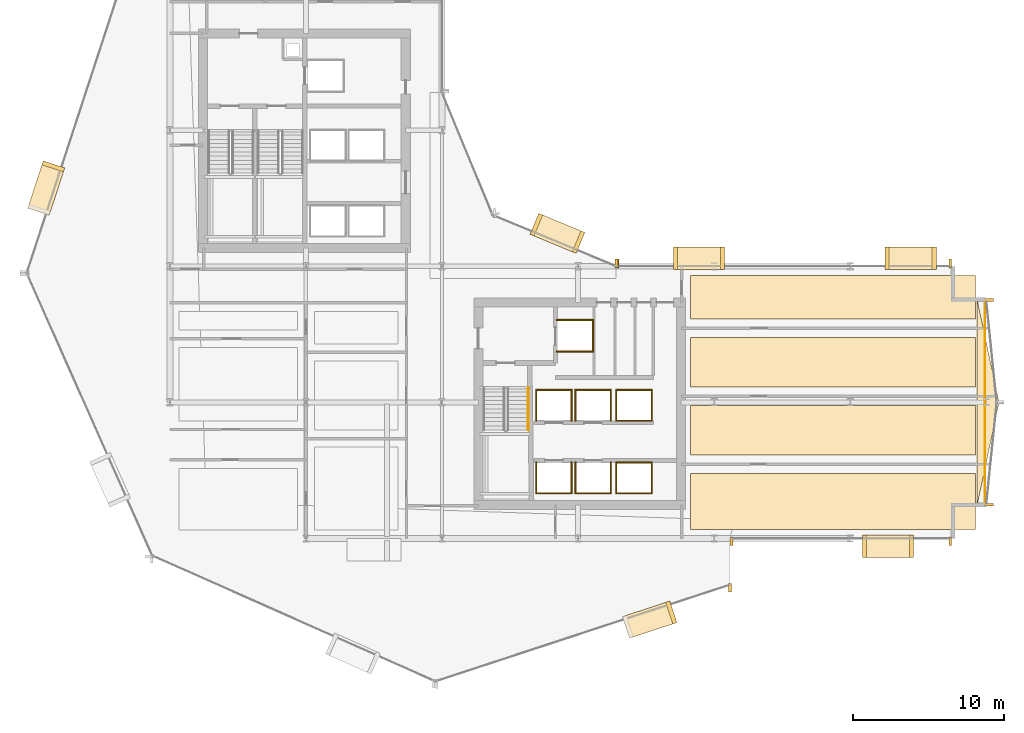
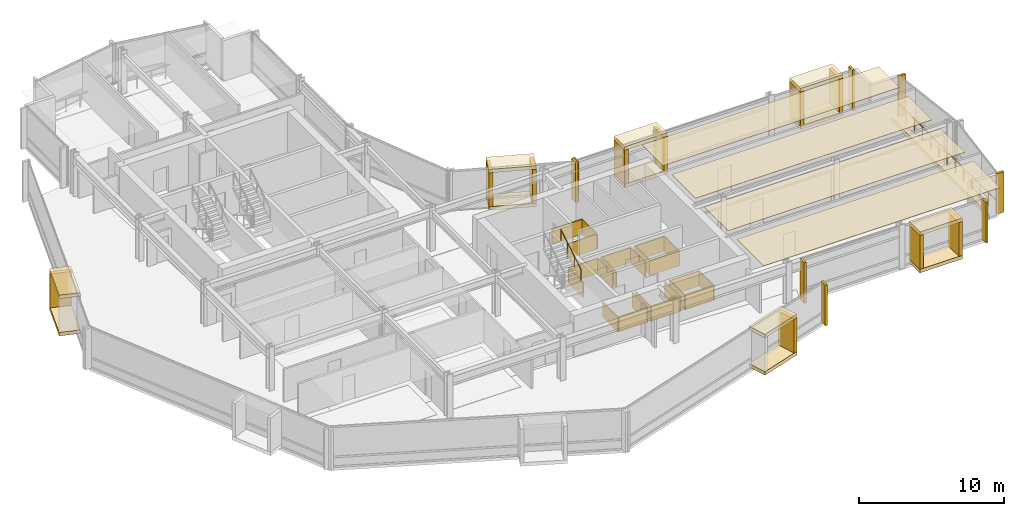
# One storey, part 32 of 34: 58 coverings, 2 railings.
"""IFC4 building model written with IfcOpenShell, lengths in metres."""

from ifc_helpers import new_model, si_unit, direction, frame, origin, origin_2d, place, context, subcontext, project, spatial, polyline, rectangle, circle, outline, extrude, material, layer, layer_set, type_object, element, save


model = new_model("IFC4")

# Units and contexts
model_context = context("Model", 3, precision=1e-05, world=origin(), true_north=direction((0.0, 1.0)))
body_context = subcontext(model_context, "Body", "Model", "MODEL_VIEW")
ifc_project = project(units=[si_unit("LENGTHUNIT", "METRE"), si_unit("AREAUNIT", "SQUARE_METRE"), si_unit("VOLUMEUNIT", "CUBIC_METRE"), si_unit("PLANEANGLEUNIT", "RADIAN"), si_unit("MASSUNIT", "GRAM", prefix="KILO")], contexts=[model_context])

# Site, building, storey
site_placement = place(None, origin())
site = spatial("IfcSite", under=ifc_project, at=site_placement, CompositionType="ELEMENT")
building_placement = place(site_placement, origin())
building = spatial("IfcBuilding", under=site, at=building_placement, Name="Solvaryn Broadcast Tower", CompositionType="ELEMENT")
storey_placement = place(building_placement, frame((0.0, 0.0, 89.10009765625)))
storey = spatial("IfcBuildingStorey", under=building, at=storey_placement, Name="L21", CompositionType="ELEMENT", Elevation=89.10009765625)

# Coverings
ifc_material_1 = material(Name="Micro-Perforated Acoustic Gypsum Ceiling", Category="concrete")
ifc_layer_1 = layer(ifc_material_1, 0.0400390625)
ifc_layer_set_1 = layer_set([ifc_layer_1], Name="CV-CEIL-ACOUSTIC")
covering_type_1 = type_object("IfcCoveringType", Name="CV-CEIL-ACOUSTIC", PredefinedType="CEILING", material=ifc_layer_set_1)
covering_1_placement = place(storey_placement, frame((0.0, 0.0, 3.3798828125)))
element("IfcCovering", 1, at=covering_1_placement, inside=storey, type_object=covering_type_1, Name="L21 Room Acoustic Ceiling 10", PredefinedType="CEILING", context=body_context, shape_type="SweptSolid", body=[
    extrude(outline(polyline([(43.449951171875, 9.60009765625), (62.300048828125, 9.60009765625), (62.300048828125, 13.300048828125), (43.449951171875, 13.300048828125), (43.449951171875, 9.60009765625)])), origin(), (0.0, 0.0, 1.0), 0.0400390625),
])
covering_2_placement = place(storey_placement, frame((0.0, 0.0, 3.3798828125)))
element("IfcCovering", 2, at=covering_2_placement, inside=storey, type_object=covering_type_1, Name="L21 Room Acoustic Ceiling 11", PredefinedType="CEILING", context=body_context, shape_type="SweptSolid", body=[
    extrude(outline(polyline([(43.449951171875, 14.5), (62.300048828125, 14.5), (62.300048828125, 17.800048828125), (43.449951171875, 17.800048828125), (43.449951171875, 14.5)])), origin(), (0.0, 0.0, 1.0), 0.0400390625),
])
covering_3_placement = place(storey_placement, frame((0.0, 0.0, 3.3798828125)))
element("IfcCovering", 3, at=covering_3_placement, inside=storey, type_object=covering_type_1, Name="L21 Room Acoustic Ceiling 12", PredefinedType="CEILING", context=body_context, shape_type="SweptSolid", body=[
    extrude(outline(polyline([(43.449951171875, 19.0), (62.300048828125, 19.0), (62.300048828125, 22.300048828125), (43.449951171875, 22.300048828125), (43.449951171875, 19.0)])), origin(), (0.0, 0.0, 1.0), 0.0400390625),
])
covering_4_placement = place(storey_placement, frame((0.0, 0.0, 3.3798828125)))
element("IfcCovering", 4, at=covering_4_placement, inside=storey, type_object=covering_type_1, Name="L21 Room Acoustic Ceiling 13", PredefinedType="CEILING", context=body_context, shape_type="SweptSolid", body=[
    extrude(outline(polyline([(43.449951171875, 23.5), (62.300048828125, 23.5), (62.300048828125, 26.39990234375), (43.449951171875, 26.39990234375), (43.449951171875, 23.5)])), origin(), (0.0, 0.0, 1.0), 0.0400390625),
])
ifc_material_2 = material(Name="Fire-Rated Gypsum Shaftwall Liner", Category="concrete")
ifc_layer_2 = layer(ifc_material_2, 0.080078125)
ifc_layer_set_2 = layer_set([ifc_layer_2], Name="CV-SHAFT-LINER")
covering_type_2 = type_object("IfcCoveringType", Name="CV-SHAFT-LINER", PredefinedType="CLADDING", material=ifc_layer_set_2)
for number, where, z_axis, x_axis, name in (
    (5, (35.800048828125, 23.43994140625, 0.0), (0.0, 0.0, 1.0), (1.0, 0.0, 0.0), "L21 FL2 Hoistway Shaft Liner North"),
    (6, (35.800048828125, 21.360107421875, 0.0), (0.0, 0.0, 1.0), (1.0, 0.0, 0.0), "L21 FL2 Hoistway Shaft Liner South"),
):
    element("IfcCovering", number, at=place(storey_placement, frame(where, z_axis=z_axis, x_axis=x_axis)), inside=storey, type_object=covering_type_2, Name=name, PredefinedType="CLADDING", context=body_context, shape_type="SweptSolid", body=[
        extrude(rectangle(XDim=2.4599609375, YDim=0.080078125, at=origin_2d()), origin(), (0.0, 0.0, 1.0), 1.25),
    ])
covering_5_placement = place(storey_placement, frame((36.989990234375, 22.39990234375, 0.0), z_axis=(0.0, 0.0, 1.0), x_axis=(1.0, 0.0, 0.0)))
element("IfcCovering", 7, at=covering_5_placement, inside=storey, type_object=covering_type_2, Name="L21 FL2 Hoistway Shaft Liner East", PredefinedType="CLADDING", context=body_context, shape_type="SweptSolid", body=[
    extrude(rectangle(XDim=0.080078125, YDim=2.159912109375, at=origin_2d()), origin(), (0.0, 0.0, 1.0), 1.25),
])
covering_6_placement = place(storey_placement, frame((34.39990234375, 11.985107421875, 0.0), z_axis=(0.0, 0.0, 1.0), x_axis=(1.0, 0.0, 0.0)))
element("IfcCovering", 8, at=covering_6_placement, inside=storey, type_object=covering_type_2, Name="L21 PL1 Hoistway Shaft Liner South", PredefinedType="CLADDING", context=body_context, shape_type="SweptSolid", body=[
    extrude(rectangle(XDim=2.409912109375, YDim=0.080078125, at=origin_2d()), origin(), (0.0, 0.0, 1.0), 1.25),
])
for number, where, z_axis, x_axis, name in (
    (9, (35.56494140625, 13.0, 0.0), (0.0, 0.0, 1.0), (1.0, 0.0, 0.0), "L21 PL1 Hoistway Shaft Liner East"),
    (10, (33.235107421875, 13.0, 0.0), (0.0, 0.0, 1.0), (1.0, 0.0, 0.0), "L21 PL1 Hoistway Shaft Liner West"),
):
    element("IfcCovering", number, at=place(storey_placement, frame(where, z_axis=z_axis, x_axis=x_axis)), inside=storey, type_object=covering_type_2, Name=name, PredefinedType="CLADDING", context=body_context, shape_type="SweptSolid", body=[
        extrude(rectangle(XDim=0.080078125, YDim=2.110107421875, at=origin_2d()), origin(), (0.0, 0.0, 1.0), 1.25),
    ])
covering_7_placement = place(storey_placement, frame((37.0, 11.985107421875, 0.0), z_axis=(0.0, 0.0, 1.0), x_axis=(1.0, 0.0, 0.0)))
element("IfcCovering", 11, at=covering_7_placement, inside=storey, type_object=covering_type_2, Name="L21 PL2 Hoistway Shaft Liner South", PredefinedType="CLADDING", context=body_context, shape_type="SweptSolid", body=[
    extrude(rectangle(XDim=2.409912109375, YDim=0.080078125, at=origin_2d()), origin(), (0.0, 0.0, 1.0), 1.25),
])
for number, where, z_axis, x_axis, name in (
    (12, (38.1650390625, 13.0, 0.0), (0.0, 0.0, 1.0), (1.0, 0.0, 0.0), "L21 PL2 Hoistway Shaft Liner East"),
    (13, (35.8349609375, 13.0, 0.0), (0.0, 0.0, 1.0), (1.0, 0.0, 0.0), "L21 PL2 Hoistway Shaft Liner West"),
):
    element("IfcCovering", number, at=place(storey_placement, frame(where, z_axis=z_axis, x_axis=x_axis)), inside=storey, type_object=covering_type_2, Name=name, PredefinedType="CLADDING", context=body_context, shape_type="SweptSolid", body=[
        extrude(rectangle(XDim=0.080078125, YDim=2.110107421875, at=origin_2d()), origin(), (0.0, 0.0, 1.0), 1.25),
    ])
covering_8_placement = place(storey_placement, frame((34.39990234375, 18.81494140625, 0.0), z_axis=(0.0, 0.0, 1.0), x_axis=(1.0, 0.0, 0.0)))
element("IfcCovering", 14, at=covering_8_placement, inside=storey, type_object=covering_type_2, Name="L21 PL3 Hoistway Shaft Liner North", PredefinedType="CLADDING", context=body_context, shape_type="SweptSolid", body=[
    extrude(rectangle(XDim=2.409912109375, YDim=0.080078125, at=origin_2d()), origin(), (0.0, 0.0, 1.0), 1.25),
])
for number, where, z_axis, x_axis, name in (
    (15, (35.56494140625, 17.800048828125, 0.0), (0.0, 0.0, 1.0), (1.0, 0.0, 0.0), "L21 PL3 Hoistway Shaft Liner East"),
    (16, (33.235107421875, 17.800048828125, 0.0), (0.0, 0.0, 1.0), (1.0, 0.0, 0.0), "L21 PL3 Hoistway Shaft Liner West"),
):
    element("IfcCovering", number, at=place(storey_placement, frame(where, z_axis=z_axis, x_axis=x_axis)), inside=storey, type_object=covering_type_2, Name=name, PredefinedType="CLADDING", context=body_context, shape_type="SweptSolid", body=[
        extrude(rectangle(XDim=0.080078125, YDim=2.110107421875, at=origin_2d()), origin(), (0.0, 0.0, 1.0), 1.25),
    ])
covering_9_placement = place(storey_placement, frame((37.0, 18.81494140625, 0.0), z_axis=(0.0, 0.0, 1.0), x_axis=(1.0, 0.0, 0.0)))
element("IfcCovering", 17, at=covering_9_placement, inside=storey, type_object=covering_type_2, Name="L21 PL4 Hoistway Shaft Liner North", PredefinedType="CLADDING", context=body_context, shape_type="SweptSolid", body=[
    extrude(rectangle(XDim=2.409912109375, YDim=0.080078125, at=origin_2d()), origin(), (0.0, 0.0, 1.0), 1.25),
])
for number, where, z_axis, x_axis, name in (
    (18, (38.1650390625, 17.800048828125, 0.0), (0.0, 0.0, 1.0), (1.0, 0.0, 0.0), "L21 PL4 Hoistway Shaft Liner East"),
    (19, (35.8349609375, 17.800048828125, 0.0), (0.0, 0.0, 1.0), (1.0, 0.0, 0.0), "L21 PL4 Hoistway Shaft Liner West"),
):
    element("IfcCovering", number, at=place(storey_placement, frame(where, z_axis=z_axis, x_axis=x_axis)), inside=storey, type_object=covering_type_2, Name=name, PredefinedType="CLADDING", context=body_context, shape_type="SweptSolid", body=[
        extrude(rectangle(XDim=0.080078125, YDim=2.110107421875, at=origin_2d()), origin(), (0.0, 0.0, 1.0), 1.25),
    ])
for number, where, z_axis, x_axis, name in (
    (20, (39.699951171875, 14.014892578125, 0.0), (0.0, 0.0, 1.0), (1.0, 0.0, 0.0), "L21 PM1 Hoistway Shaft Liner North"),
    (21, (39.699951171875, 11.985107421875, 0.0), (0.0, 0.0, 1.0), (1.0, 0.0, 0.0), "L21 PM1 Hoistway Shaft Liner South"),
):
    element("IfcCovering", number, at=place(storey_placement, frame(where, z_axis=z_axis, x_axis=x_axis)), inside=storey, type_object=covering_type_2, Name=name, PredefinedType="CLADDING", context=body_context, shape_type="SweptSolid", body=[
        extrude(rectangle(XDim=2.409912109375, YDim=0.080078125, at=origin_2d()), origin(), (0.0, 0.0, 1.0), 1.25),
    ])
for number, where, z_axis, x_axis, name in (
    (22, (40.864990234375, 13.0, 0.0), (0.0, 0.0, 1.0), (1.0, 0.0, 0.0), "L21 PM1 Hoistway Shaft Liner East"),
    (23, (38.534912109375, 13.0, 0.0), (0.0, 0.0, 1.0), (1.0, 0.0, 0.0), "L21 PM1 Hoistway Shaft Liner West"),
):
    element("IfcCovering", number, at=place(storey_placement, frame(where, z_axis=z_axis, x_axis=x_axis)), inside=storey, type_object=covering_type_2, Name=name, PredefinedType="CLADDING", context=body_context, shape_type="SweptSolid", body=[
        extrude(rectangle(XDim=0.080078125, YDim=2.110107421875, at=origin_2d()), origin(), (0.0, 0.0, 1.0), 1.25),
    ])
for number, where, z_axis, x_axis, name in (
    (24, (39.699951171875, 18.81494140625, 0.0), (0.0, 0.0, 1.0), (1.0, 0.0, 0.0), "L21 PM2 Hoistway Shaft Liner North"),
    (25, (39.699951171875, 16.784912109375, 0.0), (0.0, 0.0, 1.0), (1.0, 0.0, 0.0), "L21 PM2 Hoistway Shaft Liner South"),
):
    element("IfcCovering", number, at=place(storey_placement, frame(where, z_axis=z_axis, x_axis=x_axis)), inside=storey, type_object=covering_type_2, Name=name, PredefinedType="CLADDING", context=body_context, shape_type="SweptSolid", body=[
        extrude(rectangle(XDim=2.409912109375, YDim=0.080078125, at=origin_2d()), origin(), (0.0, 0.0, 1.0), 1.25),
    ])
for number, where, z_axis, x_axis, name in (
    (26, (40.864990234375, 17.800048828125, 0.0), (0.0, 0.0, 1.0), (1.0, 0.0, 0.0), "L21 PM2 Hoistway Shaft Liner East"),
    (27, (38.534912109375, 17.800048828125, 0.0), (0.0, 0.0, 1.0), (1.0, 0.0, 0.0), "L21 PM2 Hoistway Shaft Liner West"),
):
    element("IfcCovering", number, at=place(storey_placement, frame(where, z_axis=z_axis, x_axis=x_axis)), inside=storey, type_object=covering_type_2, Name=name, PredefinedType="CLADDING", context=body_context, shape_type="SweptSolid", body=[
        extrude(rectangle(XDim=0.080078125, YDim=2.110107421875, at=origin_2d()), origin(), (0.0, 0.0, 1.0), 1.25),
    ])
ifc_material_3 = material(Name="Glazed Architectural Terracotta Rainscreen Cladding", Category="masonry")
ifc_layer_3 = layer(ifc_material_3, 0.280029296875)
ifc_layer_set_3 = layer_set([ifc_layer_3], Name="CV-TC-CLAD")
covering_type_3 = type_object("IfcCoveringType", Name="CV-TC-CLAD", PredefinedType="CLADDING", material=ifc_layer_set_3)
for number, where, z_axis, x_axis, name in (
    (28, (0.819091796875, 32.173095703125, 3.1298828125), (0.0, 0.0, 1.0), (-0.311671636848, -0.950189870912, 0.0), "L21 Projecting Stone Window Box Hood 1"),
    (29, (0.819091796875, 32.173095703125, -0.01025390625), (0.0, 0.0, 1.0), (-0.311671636848, -0.950189870912, 0.0), "L21 Projecting Stone Window Box Sill 1"),
):
    element("IfcCovering", number, at=place(storey_placement, frame(where, z_axis=z_axis, x_axis=x_axis)), inside=storey, type_object=covering_type_3, Name=name, PredefinedType="CLADDING", context=body_context, shape_type="SweptSolid", body=[
        extrude(rectangle(XDim=3.300048828125, YDim=1.5, at=origin_2d()), origin(), (0.0, 0.0, 1.0), 0.300048828125),
    ])
covering_10_placement = place(storey_placement, frame((1.28955078125, 33.60791015625, 0.27978515625), z_axis=(0.0, 0.0, 1.0), x_axis=(-0.311671636848, -0.950189870912, 0.0)))
element("IfcCovering", 30, at=covering_10_placement, inside=storey, type_object=covering_type_3, Name="L21 Projecting Stone Window Box Cheek 1-1", PredefinedType="CLADDING", context=body_context, shape_type="SweptSolid", body=[
    extrude(rectangle(XDim=0.280029296875, YDim=1.5, at=origin_2d()), origin(), (0.0, 0.0, 1.0), 2.860107421875),
])
for number, where, z_axis, x_axis, name in (
    (31, (40.73291015625, 3.6259765625, 3.1298828125), (0.0, 0.0, 1.0), (0.950189870912, 0.311671636848, 0.0), "L21 Projecting Stone Window Box Hood 4"),
    (32, (40.73291015625, 3.6259765625, -0.01025390625), (0.0, 0.0, 1.0), (0.950189870912, 0.311671636848, 0.0), "L21 Projecting Stone Window Box Sill 4"),
):
    element("IfcCovering", number, at=place(storey_placement, frame(where, z_axis=z_axis, x_axis=x_axis)), inside=storey, type_object=covering_type_3, Name=name, PredefinedType="CLADDING", context=body_context, shape_type="SweptSolid", body=[
        extrude(rectangle(XDim=3.300048828125, YDim=1.5, at=origin_2d()), origin(), (0.0, 0.0, 1.0), 0.300048828125),
    ])
covering_11_placement = place(storey_placement, frame((42.167724609375, 4.0966796875, 0.27978515625), z_axis=(0.0, 0.0, 1.0), x_axis=(0.950189870912, 0.311671636848, 0.0)))
element("IfcCovering", 33, at=covering_11_placement, inside=storey, type_object=covering_type_3, Name="L21 Projecting Stone Window Box Cheek 4-2", PredefinedType="CLADDING", context=body_context, shape_type="SweptSolid", body=[
    extrude(rectangle(XDim=0.280029296875, YDim=1.5, at=origin_2d()), origin(), (0.0, 0.0, 1.0), 2.860107421875),
])
for number, where, z_axis, x_axis, name in (
    (34, (34.636962890625, 29.174072265625, 3.1298828125), (0.0, 0.0, 1.0), (-0.923879532511, 0.382683432365, 0.0), "L21 Projecting Stone Window Box Hood 5"),
    (35, (34.636962890625, 29.174072265625, -0.01025390625), (0.0, 0.0, 1.0), (-0.923879532511, 0.382683432365, 0.0), "L21 Projecting Stone Window Box Sill 5"),
):
    element("IfcCovering", number, at=place(storey_placement, frame(where, z_axis=z_axis, x_axis=x_axis)), inside=storey, type_object=covering_type_3, Name=name, PredefinedType="CLADDING", context=body_context, shape_type="SweptSolid", body=[
        extrude(rectangle(XDim=3.300048828125, YDim=1.5, at=origin_2d()), origin(), (0.0, 0.0, 1.0), 0.300048828125),
    ])
for number, where, z_axis, x_axis, name in (
    (36, (36.031982421875, 28.59619140625, 0.27978515625), (0.0, 0.0, 1.0), (-0.923879532511, 0.382683432365, 0.0), "L21 Projecting Stone Window Box Cheek 5-1"),
    (37, (33.241943359375, 29.751953125, 0.27978515625), (0.0, 0.0, 1.0), (-0.923879532511, 0.382683432365, 0.0), "L21 Projecting Stone Window Box Cheek 5-2"),
):
    element("IfcCovering", number, at=place(storey_placement, frame(where, z_axis=z_axis, x_axis=x_axis)), inside=storey, type_object=covering_type_3, Name=name, PredefinedType="CLADDING", context=body_context, shape_type="SweptSolid", body=[
        extrude(rectangle(XDim=0.280029296875, YDim=1.5, at=origin_2d()), origin(), (0.0, 0.0, 1.0), 2.860107421875),
    ])
for number, where, z_axis, x_axis, name in (
    (38, (56.5, 8.469970703125, 3.1298828125), (0.0, 0.0, 1.0), (1.0, 0.0, 0.0), "L21 Projecting Stone Window Box Hood 6"),
    (39, (56.5, 8.469970703125, -0.01025390625), (0.0, 0.0, 1.0), (1.0, 0.0, 0.0), "L21 Projecting Stone Window Box Sill 6"),
):
    element("IfcCovering", number, at=place(storey_placement, frame(where, z_axis=z_axis, x_axis=x_axis)), inside=storey, type_object=covering_type_3, Name=name, PredefinedType="CLADDING", context=body_context, shape_type="SweptSolid", body=[
        extrude(rectangle(XDim=3.39990234375, YDim=1.5, at=origin_2d()), origin(), (0.0, 0.0, 1.0), 0.300048828125),
    ])
for number, where, z_axis, x_axis, name in (
    (40, (54.93994140625, 8.469970703125, 0.27978515625), (0.0, 0.0, 1.0), (1.0, 0.0, 0.0), "L21 Projecting Stone Window Box Cheek 6-1"),
    (41, (58.06005859375, 8.469970703125, 0.27978515625), (0.0, 0.0, 1.0), (1.0, 0.0, 0.0), "L21 Projecting Stone Window Box Cheek 6-2"),
):
    element("IfcCovering", number, at=place(storey_placement, frame(where, z_axis=z_axis, x_axis=x_axis)), inside=storey, type_object=covering_type_3, Name=name, PredefinedType="CLADDING", context=body_context, shape_type="SweptSolid", body=[
        extrude(rectangle(XDim=0.280029296875, YDim=1.5, at=origin_2d()), origin(), (0.0, 0.0, 1.0), 2.860107421875),
    ])
for number, where, z_axis, x_axis, name in (
    (42, (44.0, 27.530029296875, 3.1298828125), (0.0, 0.0, 1.0), (1.0, 0.0, 0.0), "L21 Projecting Stone Window Box Hood 7"),
    (43, (44.0, 27.530029296875, -0.01025390625), (0.0, 0.0, 1.0), (1.0, 0.0, 0.0), "L21 Projecting Stone Window Box Sill 7"),
):
    element("IfcCovering", number, at=place(storey_placement, frame(where, z_axis=z_axis, x_axis=x_axis)), inside=storey, type_object=covering_type_3, Name=name, PredefinedType="CLADDING", context=body_context, shape_type="SweptSolid", body=[
        extrude(rectangle(XDim=3.39990234375, YDim=1.5, at=origin_2d()), origin(), (0.0, 0.0, 1.0), 0.300048828125),
    ])
for number, where, z_axis, x_axis, name in (
    (44, (42.43994140625, 27.530029296875, 0.27978515625), (0.0, 0.0, 1.0), (1.0, 0.0, 0.0), "L21 Projecting Stone Window Box Cheek 7-1"),
    (45, (45.56005859375, 27.530029296875, 0.27978515625), (0.0, 0.0, 1.0), (1.0, 0.0, 0.0), "L21 Projecting Stone Window Box Cheek 7-2"),
):
    element("IfcCovering", number, at=place(storey_placement, frame(where, z_axis=z_axis, x_axis=x_axis)), inside=storey, type_object=covering_type_3, Name=name, PredefinedType="CLADDING", context=body_context, shape_type="SweptSolid", body=[
        extrude(rectangle(XDim=0.280029296875, YDim=1.5, at=origin_2d()), origin(), (0.0, 0.0, 1.0), 2.860107421875),
    ])
for number, where, z_axis, x_axis, name in (
    (46, (58.0, 27.530029296875, 3.1298828125), (0.0, 0.0, 1.0), (1.0, 0.0, 0.0), "L21 Projecting Stone Window Box Hood 8"),
    (47, (58.0, 27.530029296875, -0.01025390625), (0.0, 0.0, 1.0), (1.0, 0.0, 0.0), "L21 Projecting Stone Window Box Sill 8"),
):
    element("IfcCovering", number, at=place(storey_placement, frame(where, z_axis=z_axis, x_axis=x_axis)), inside=storey, type_object=covering_type_3, Name=name, PredefinedType="CLADDING", context=body_context, shape_type="SweptSolid", body=[
        extrude(rectangle(XDim=3.39990234375, YDim=1.5, at=origin_2d()), origin(), (0.0, 0.0, 1.0), 0.300048828125),
    ])
for number, where, z_axis, x_axis, name in (
    (48, (56.43994140625, 27.530029296875, 0.27978515625), (0.0, 0.0, 1.0), (1.0, 0.0, 0.0), "L21 Projecting Stone Window Box Cheek 8-1"),
    (49, (59.56005859375, 27.530029296875, 0.27978515625), (0.0, 0.0, 1.0), (1.0, 0.0, 0.0), "L21 Projecting Stone Window Box Cheek 8-2"),
):
    element("IfcCovering", number, at=place(storey_placement, frame(where, z_axis=z_axis, x_axis=x_axis)), inside=storey, type_object=covering_type_3, Name=name, PredefinedType="CLADDING", context=body_context, shape_type="SweptSolid", body=[
        extrude(rectangle(XDim=0.280029296875, YDim=1.5, at=origin_2d()), origin(), (0.0, 0.0, 1.0), 2.860107421875),
    ])
ifc_material_4 = material(Name="Extruded Architectural Terracotta Fin", Category="masonry")
ifc_layer_4 = layer(ifc_material_4, 0.179931640625)
ifc_layer_set_4 = layer_set([ifc_layer_4], Name="CV-TC-FIN")
covering_type_4 = type_object("IfcCoveringType", Name="CV-TC-FIN", PredefinedType="USERDEFINED", material=ifc_layer_set_4)
for number, where, z_axis, x_axis, name in (
    (50, (46.043701171875, 5.735595703125, 0.0), (0.0, 0.0, 1.0), (1.0, 0.0, 0.0), "L21 Terracotta Vertical Fin FIN-L21-DR4-M01"),
    (51, (38.541259765625, 27.177978515625, 0.0), (0.0, 0.0, 1.0), (1.0, 0.0, 0.0), "L21 Terracotta Vertical Fin FIN-L21-CN1-M00"),
    (52, (46.14599609375, 8.8125, 0.0), (0.0, 0.0, 1.0), (1.0, 0.0, 0.0), "L21 Terracotta Vertical Fin FIN-L21-S2-M00"),
    (53, (60.6201171875, 8.8125, 0.0), (0.0, 0.0, 1.0), (1.0, 0.0, 0.0), "L21 Terracotta Vertical Fin FIN-L21-S2-M01"),
):
    element("IfcCovering", number, at=place(storey_placement, frame(where, z_axis=z_axis, x_axis=x_axis)), inside=storey, type_object=covering_type_4, Name=name, ObjectType="FIN", PredefinedType="USERDEFINED", context=body_context, shape_type="SweptSolid", body=[
        extrude(rectangle(XDim=0.179931640625, YDim=0.580078125, at=origin_2d()), origin(), (0.0, 0.0, 1.0), 3.419921875),
    ])
for number, where, z_axis, x_axis, name in (
    (54, (63.190673828125, 24.770263671875, 0.0), (0.0, 0.0, 1.0), (1.0, 0.0, 0.0), "L21 Terracotta Vertical Fin FIN-L21-ET1-M00"),
    (55, (63.190673828125, 11.229736328125, 0.0), (0.0, 0.0, 1.0), (1.0, 0.0, 0.0), "L21 Terracotta Vertical Fin FIN-L21-ET2-M01"),
):
    element("IfcCovering", number, at=place(storey_placement, frame(where, z_axis=z_axis, x_axis=x_axis)), inside=storey, type_object=covering_type_4, Name=name, ObjectType="FIN", PredefinedType="USERDEFINED", context=body_context, shape_type="SweptSolid", body=[
        extrude(rectangle(XDim=0.580078125, YDim=0.179931640625, at=origin_2d()), origin(), (0.0, 0.0, 1.0), 3.419921875),
    ])
for number, where, z_axis, x_axis, name in (
    (56, (38.6298828125, 27.1875, 0.0), (0.0, 0.0, 1.0), (1.0, 0.0, 0.0), "L21 Terracotta Vertical Fin FIN-L21-IH-M00"),
    (57, (60.6201171875, 27.1875, 0.0), (0.0, 0.0, 1.0), (1.0, 0.0, 0.0), "L21 Terracotta Vertical Fin FIN-L21-IH-M01"),
):
    element("IfcCovering", number, at=place(storey_placement, frame(where, z_axis=z_axis, x_axis=x_axis)), inside=storey, type_object=covering_type_4, Name=name, ObjectType="FIN", PredefinedType="USERDEFINED", context=body_context, shape_type="SweptSolid", body=[
        extrude(rectangle(XDim=0.179931640625, YDim=0.580078125, at=origin_2d()), origin(), (0.0, 0.0, 1.0), 3.419921875),
    ])
ifc_material_5 = material(Name="Sculpted Architectural Terracotta Wave Fascia", Category="masonry")
ifc_layer_5 = layer(ifc_material_5, 0.340087890625)
ifc_layer_set_5 = layer_set([ifc_layer_5], Name="CV-WAVE-TRAY")
covering_type_5 = type_object("IfcCoveringType", Name="CV-WAVE-TRAY", PredefinedType="CLADDING", material=ifc_layer_set_5)
covering_12_placement = place(storey_placement, frame((0.0, 0.0, -0.300048828125)))
element("IfcCovering", 58, at=covering_12_placement, inside=storey, type_object=covering_type_5, Name="L21 East Curved Wing Deck", PredefinedType="CLADDING", context=body_context, shape_type="SweptSolid", body=[
    extrude(outline(polyline([(62.39990234375, 11.199951171875), (63.85009765625, 18.0), (62.39990234375, 24.800048828125), (62.39990234375, 11.199951171875)])), origin(), (0.0, 0.0, 1.0), 0.329833984375),
])

# Railings
ifc_material_6 = material(Name="Brushed Stainless Steel Tubular Handrail", Category="steel")
railing_type_1 = type_object("IfcRailingType", Name="RL-STAIR-HANDRAIL", PredefinedType="HANDRAIL", material=ifc_material_6)
railing_1_placement = place(storey_placement, frame((32.699951171875, 16.159912109375, 2.01806640625)))
element("IfcRailing", 59, at=railing_1_placement, inside=storey, type_object=railing_type_1, Name="L21 ST3 stair handrail 2", PredefinedType="HANDRAIL", context=body_context, shape_type="SweptSolid", body=[
    extrude(circle(Radius=0.02392578125, at=origin_2d()), frame((0.0, 0.0, 0.8759765625), z_axis=(0.0, 0.857242210791, 0.514913383045), x_axis=(-1.0, 0.0, 0.0)), (0.0, 0.0, 1.0), 3.266357421875),
    extrude(circle(Radius=0.02099609375, at=origin_2d()), origin(), (0.0, 0.0, 1.0), 0.851806640625),
    extrude(circle(Radius=0.02099609375, at=origin_2d()), frame((0.0, 0.933349609375, 0.560546875)), (0.0, 0.0, 1.0), 0.851806640625),
    extrude(circle(Radius=0.02099609375, at=origin_2d()), frame((0.0, 1.86669921875, 1.121337890625)), (0.0, 0.0, 1.0), 0.851806640625),
    extrude(circle(Radius=0.02099609375, at=origin_2d()), frame((0.0, 2.800048828125, 1.681884765625)), (0.0, 0.0, 1.0), 0.851806640625),
])
ifc_material_7 = material(Name="Stainless Steel and Laminated Glass Guard", Category="steel")
railing_type_2 = type_object("IfcRailingType", Name="RL-TER-1150", PredefinedType="BALUSTRADE", material=ifc_material_7)
railing_2_placement = place(storey_placement, frame((62.919921875, 11.199951171875, 0.0)))
element("IfcRailing", 60, at=railing_2_placement, inside=storey, type_object=railing_type_2, Name="L21 East Wing Spandrel Edge Guard", PredefinedType="BALUSTRADE", context=body_context, shape_type="SweptSolid", body=[
    extrude(circle(Radius=0.02392578125, at=origin_2d()), frame((0.0, 0.0, 1.1259765625), z_axis=(0.0, 1.0, 0.0), x_axis=(-1.0, 0.0, 0.0)), (0.0, 0.0, 1.0), 13.60009765625),
    extrude(circle(Radius=0.02099609375, at=origin_2d()), origin(), (0.0, 0.0, 1.0), 1.101806640625),
    extrude(circle(Radius=0.02099609375, at=origin_2d()), frame((0.0, 1.13330078125, 0.0)), (0.0, 0.0, 1.0), 1.101806640625),
    extrude(circle(Radius=0.02099609375, at=origin_2d()), frame((0.0, 2.2666015625, 0.0)), (0.0, 0.0, 1.0), 1.101806640625),
    extrude(circle(Radius=0.02099609375, at=origin_2d()), frame((0.0, 3.39990234375, 0.0)), (0.0, 0.0, 1.0), 1.101806640625),
    extrude(circle(Radius=0.02099609375, at=origin_2d()), frame((0.0, 4.533447265625, 0.0)), (0.0, 0.0, 1.0), 1.101806640625),
    extrude(circle(Radius=0.02099609375, at=origin_2d()), frame((0.0, 5.666748046875, 0.0)), (0.0, 0.0, 1.0), 1.101806640625),
    extrude(circle(Radius=0.02099609375, at=origin_2d()), frame((0.0, 6.800048828125, 0.0)), (0.0, 0.0, 1.0), 1.101806640625),
    extrude(circle(Radius=0.02099609375, at=origin_2d()), frame((0.0, 7.933349609375, 0.0)), (0.0, 0.0, 1.0), 1.101806640625),
    extrude(circle(Radius=0.02099609375, at=origin_2d()), frame((0.0, 9.066650390625, 0.0)), (0.0, 0.0, 1.0), 1.101806640625),
    extrude(circle(Radius=0.02099609375, at=origin_2d()), frame((0.0, 10.2001953125, 0.0)), (0.0, 0.0, 1.0), 1.101806640625),
    extrude(circle(Radius=0.02099609375, at=origin_2d()), frame((0.0, 11.33349609375, 0.0)), (0.0, 0.0, 1.0), 1.101806640625),
    extrude(circle(Radius=0.02099609375, at=origin_2d()), frame((0.0, 12.466796875, 0.0)), (0.0, 0.0, 1.0), 1.101806640625),
    extrude(circle(Radius=0.02099609375, at=origin_2d()), frame((0.0, 13.60009765625, 0.0)), (0.0, 0.0, 1.0), 1.101806640625),
])

save(model, "model.ifc")
